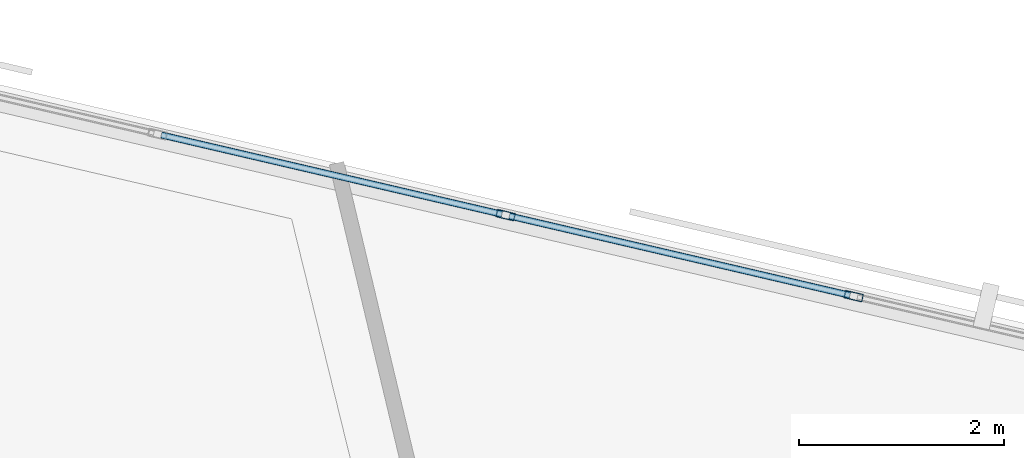
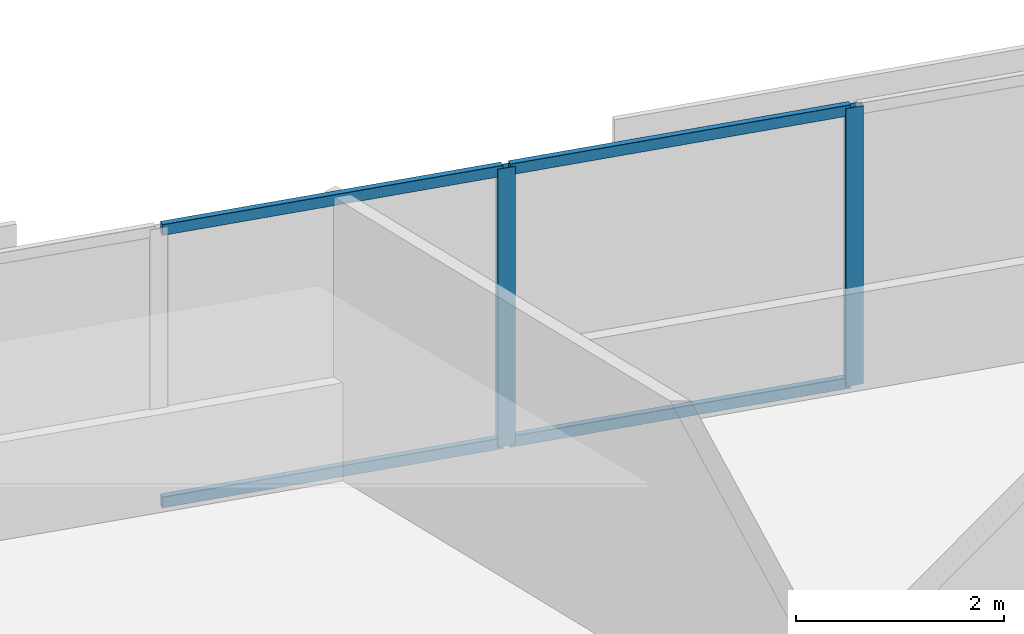
# One storey, part 7 of 15: 6 members, 1 element without a shape of its own.
"""IFC4 building model written with IfcOpenShell, lengths in metres."""

from ifc_helpers import new_model, si_unit, direction, frame, origin, origin_2d, place, context, subcontext, project, spatial, hollow_rectangle, extrude, material, material_profile, profile_set, type_object, element, aggregate, save


model = new_model("IFC4")

# Units and contexts
model_context = context("Model", 3, precision=1e-05, world=origin(), true_north=direction((0.0, 1.0)))
body_context = subcontext(model_context, "Body", "Model", "MODEL_VIEW")
ifc_project = project(units=[si_unit("LENGTHUNIT", "METRE"), si_unit("AREAUNIT", "SQUARE_METRE"), si_unit("VOLUMEUNIT", "CUBIC_METRE"), si_unit("PLANEANGLEUNIT", "RADIAN"), si_unit("MASSUNIT", "GRAM", prefix="KILO")], contexts=[model_context])

# Site, building, storey
site_placement = place(None, origin())
site = spatial("IfcSite", under=ifc_project, at=site_placement, CompositionType="ELEMENT")
building_placement = place(site_placement, origin())
building = spatial("IfcBuilding", under=site, at=building_placement, Name="Narakoshi Arena Tower", CompositionType="ELEMENT")
storey_placement = place(building_placement, frame((0.0, 0.0, 186.139892578125)))
storey = spatial("IfcBuildingStorey", under=building, at=storey_placement, Name="L50", CompositionType="ELEMENT", Elevation=186.139892578125)

# Curtain wall, members
ifc_material = material(Name="Anodised bronze aluminium 6063-T6", Category="aluminium")
curtain_wall_type = type_object("IfcCurtainWallType", Name="CW-HYP-MID", PredefinedType="NOTDEFINED", material=ifc_material)
curtain_wall_placement = place(storey_placement, origin())
curtain_wall = element("IfcCurtainWall", 1, at=curtain_wall_placement, inside=storey, type_object=curtain_wall_type, Name="L50 Folded Hypotenuse Curtain Wall 2-1", PredefinedType="NOTDEFINED")
ifc_material_profile_1 = material_profile(ifc_material, hollow_rectangle(XDim=0.074951171875, YDim=0.179931640625, WallThickness=0.00390625, OuterFilletRadius=0.0048828125, at=origin_2d()), Name="MUL180x75x4")
ifc_profile_set_1 = profile_set([ifc_material_profile_1], Name="Anodised bronze aluminium 6063-T6")
member_type_1 = type_object("IfcMemberType", Name="MEM-MUL-180", PredefinedType="MULLION", material=ifc_profile_set_1)
member_1_placement = place(storey_placement, frame((78.911376953125, 64.4443359375, 0.0), z_axis=(0.0, 0.0, 1.0), x_axis=(-0.226721182724, -0.973959704148, 0.0)))
member_1 = element("IfcMember", 2, at=member_1_placement, type_object=member_type_1, Name="CW-02 mullion 3", PredefinedType="MULLION", context=body_context, shape_type="SweptSolid", body=[
    extrude(hollow_rectangle(XDim=0.074951171875, YDim=0.179931640625, WallThickness=0.00390625, OuterFilletRadius=0.0048828125, at=origin_2d()), origin(), (0.0, 0.0, 1.0), 3.260009765625),
])
member_2_placement = place(storey_placement, frame((75.510498046875, 65.236083984375, 0.0), z_axis=(0.0, 0.0, 1.0), x_axis=(-0.226721182724, -0.973959704148, 0.0)))
member_2 = element("IfcMember", 3, at=member_2_placement, type_object=member_type_1, Name="CW-02 mullion 4", PredefinedType="MULLION", context=body_context, shape_type="SweptSolid", body=[
    extrude(hollow_rectangle(XDim=0.074951171875, YDim=0.179931640625, WallThickness=0.00390625, OuterFilletRadius=0.0048828125, at=origin_2d()), origin(), (0.0, 0.0, 1.0), 3.260009765625),
])
ifc_material_profile_2 = material_profile(ifc_material, hollow_rectangle(XDim=0.06494140625, YDim=0.1298828125, WallThickness=0.00390625, OuterFilletRadius=0.0048828125, at=origin_2d()), Name="TRN130x65x4")
ifc_profile_set_2 = profile_set([ifc_material_profile_2], Name="Anodised bronze aluminium 6063-T6")
member_type_2 = type_object("IfcMemberType", Name="MEM-TRN-130", PredefinedType="USERDEFINED", material=ifc_profile_set_2)
member_3_placement = place(storey_placement, frame((78.874755859375, 64.452880859375, 0.03271484375), z_axis=(-0.973957040336, 0.226732625751, 0.0), x_axis=(-0.226732625751, -0.973957040336, 0.0)))
member_3 = element("IfcMember", 4, at=member_3_placement, type_object=member_type_2, Name="CW-02 transom 3.1", ObjectType="TRANSOM", PredefinedType="USERDEFINED", context=body_context, shape_type="SweptSolid", body=[
    extrude(hollow_rectangle(XDim=0.06494140625, YDim=0.1298828125, WallThickness=0.00390625, OuterFilletRadius=0.0048828125, at=origin_2d()), origin(), (0.0, 0.0, 1.0), 3.41650390625),
])
member_4_placement = place(storey_placement, frame((78.874755859375, 64.452880859375, 3.2275390625), z_axis=(-0.973957040336, 0.226732625751, 0.0), x_axis=(-0.226732625751, -0.973957040336, 0.0)))
member_4 = element("IfcMember", 5, at=member_4_placement, type_object=member_type_2, Name="CW-02 transom 3.2", ObjectType="TRANSOM", PredefinedType="USERDEFINED", context=body_context, shape_type="SweptSolid", body=[
    extrude(hollow_rectangle(XDim=0.06494140625, YDim=0.1298828125, WallThickness=0.00390625, OuterFilletRadius=0.0048828125, at=origin_2d()), origin(), (0.0, 0.0, 1.0), 3.41650390625),
])
member_5_placement = place(storey_placement, frame((75.473876953125, 65.24462890625, 0.03271484375), z_axis=(-0.973957040336, 0.226732625751, 0.0), x_axis=(-0.226732625751, -0.973957040336, 0.0)))
member_5 = element("IfcMember", 6, at=member_5_placement, type_object=member_type_2, Name="CW-02 transom 4.1", ObjectType="TRANSOM", PredefinedType="USERDEFINED", context=body_context, shape_type="SweptSolid", body=[
    extrude(hollow_rectangle(XDim=0.06494140625, YDim=0.1298828125, WallThickness=0.00390625, OuterFilletRadius=0.0048828125, at=origin_2d()), origin(), (0.0, 0.0, 1.0), 3.41650390625),
])
member_6_placement = place(storey_placement, frame((75.473876953125, 65.24462890625, 3.2275390625), z_axis=(-0.973957040336, 0.226732625751, 0.0), x_axis=(-0.226732625751, -0.973957040336, 0.0)))
member_6 = element("IfcMember", 7, at=member_6_placement, type_object=member_type_2, Name="CW-02 transom 4.2", ObjectType="TRANSOM", PredefinedType="USERDEFINED", context=body_context, shape_type="SweptSolid", body=[
    extrude(hollow_rectangle(XDim=0.06494140625, YDim=0.1298828125, WallThickness=0.00390625, OuterFilletRadius=0.0048828125, at=origin_2d()), origin(), (0.0, 0.0, 1.0), 3.41650390625),
])
aggregate(curtain_wall, [member_1, member_2, member_3, member_4, member_5, member_6])

save(model, "model.ifc")
